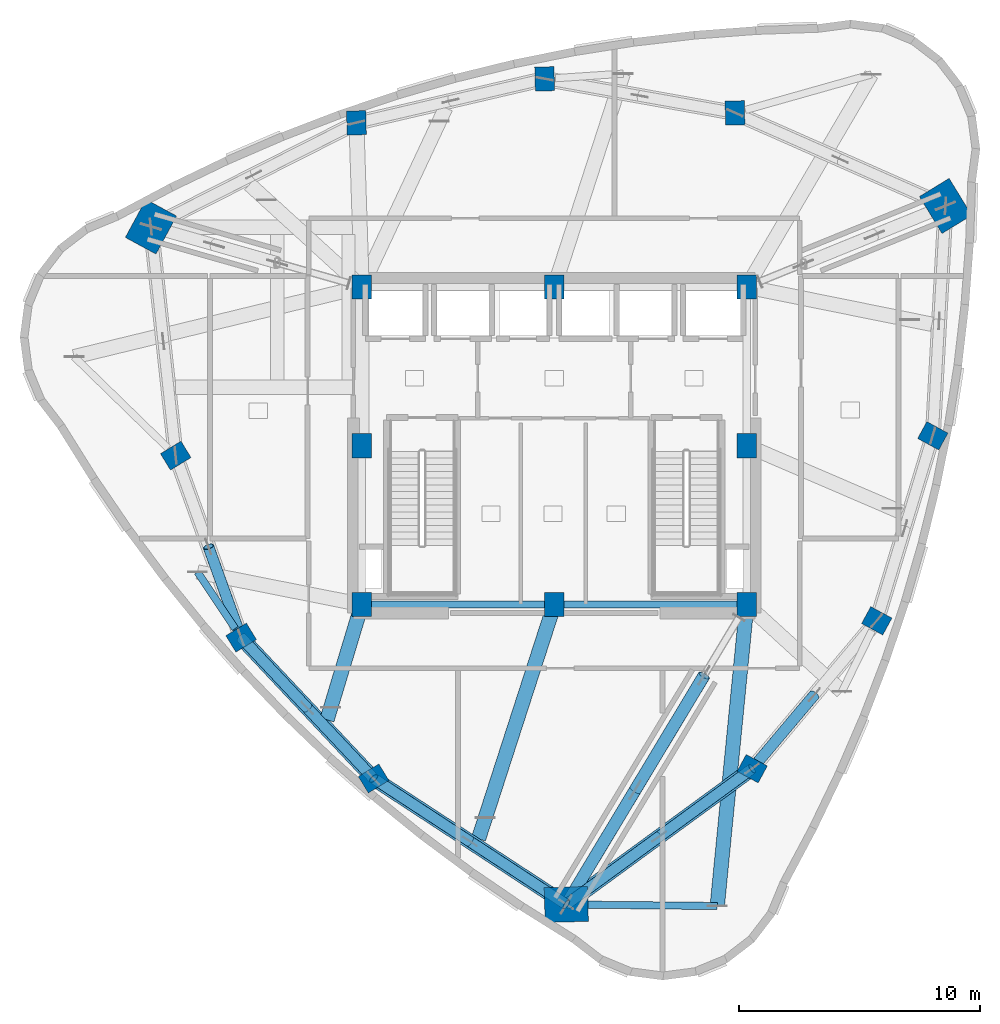
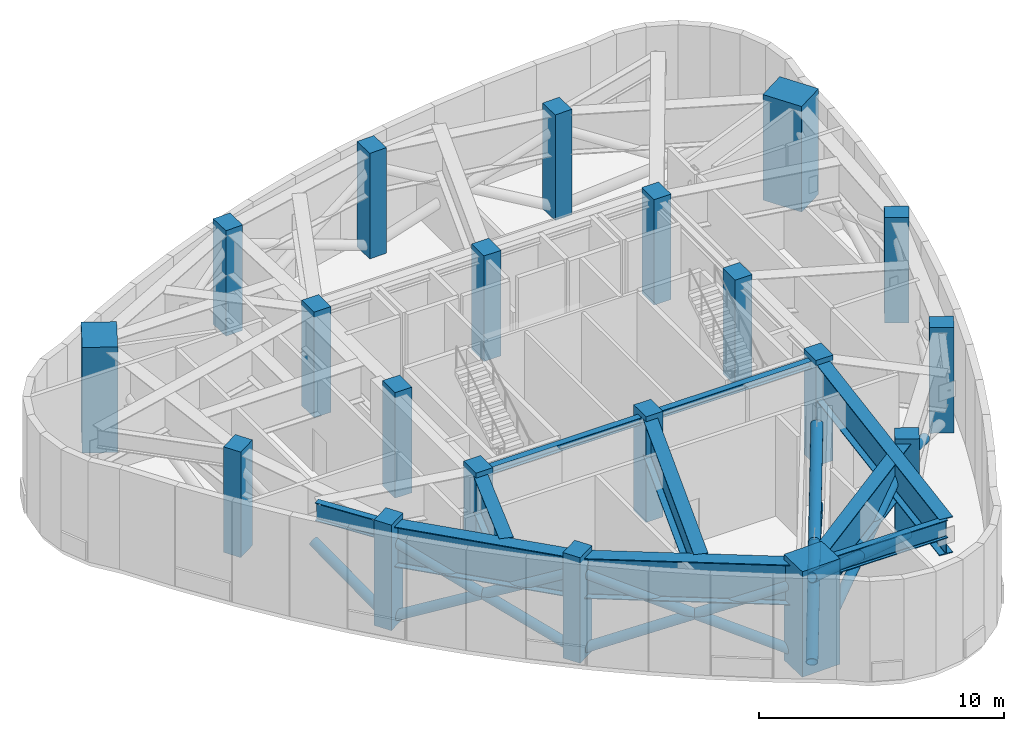
# One storey, part 1 of 10: 20 columns, 14 members, 10 beams.
"""IFC4 building model written with IfcOpenShell, lengths in metres."""

from ifc_helpers import new_model, si_unit, direction, frame, origin, origin_2d, place, context, subcontext, project, spatial, rectangle, hollow_circle, i_section, extrude, material, material_profile, profile_set, type_object, element, save


model = new_model("IFC4")

# Units and contexts
model_context = context("Model", 3, precision=1e-05, world=origin(), true_north=direction((0.0, 1.0)))
body_context = subcontext(model_context, "Body", "Model", "MODEL_VIEW")
ifc_project = project(units=[si_unit("LENGTHUNIT", "METRE"), si_unit("AREAUNIT", "SQUARE_METRE"), si_unit("VOLUMEUNIT", "CUBIC_METRE"), si_unit("PLANEANGLEUNIT", "RADIAN"), si_unit("MASSUNIT", "GRAM", prefix="KILO")], contexts=[model_context])

# Site, building, storey
site_placement = place(None, origin())
site = spatial("IfcSite", under=ifc_project, at=site_placement, CompositionType="ELEMENT")
building_placement = place(site_placement, origin())
building = spatial("IfcBuilding", under=site, at=building_placement, Name="Ndelora Gate Hotel", CompositionType="ELEMENT")
storey_placement = place(building_placement, frame((0.0, 0.0, 254.949951171875)))
storey = spatial("IfcBuildingStorey", under=building, at=storey_placement, Name="L64", CompositionType="ELEMENT", Elevation=254.949951171875)

# Columns
ifc_material_1 = material(Name="Concrete C50/60", Category="concrete")
ifc_material_profile_1 = material_profile(ifc_material_1, rectangle(XDim=0.800048828125, YDim=1.0, at=origin_2d()), Name="RC 1000x800")
ifc_profile_set_1 = profile_set([ifc_material_profile_1], Name="Concrete C50/60")
column_type_1 = type_object("IfcColumnType", Name="COL-CC-HI", PredefinedType="COLUMN", material=ifc_profile_set_1)
for number, where, z_axis, x_axis, name in (
    (1, (-8.0, -6.60009765625, 0.0), (0.0, 0.0, 1.0), (1.0, 0.0, 0.0), "L64 Core Column CC1"),
    (2, (0.0, -6.60009765625, 0.0), (0.0, 0.0, 1.0), (1.0, 0.0, 0.0), "L64 Core Column CC2"),
    (3, (8.0, -6.60009765625, 0.0), (0.0, 0.0, 1.0), (1.0, 0.0, 0.0), "L64 Core Column CC3"),
    (4, (8.0, 0.0, 0.0), (0.0, 0.0, 1.0), (1.0, 0.0, 0.0), "L64 Core Column CC4"),
    (5, (8.0, 6.60009765625, 0.0), (0.0, 0.0, 1.0), (1.0, 0.0, 0.0), "L64 Core Column CC5"),
    (6, (0.0, 6.60009765625, 0.0), (0.0, 0.0, 1.0), (1.0, 0.0, 0.0), "L64 Core Column CC6"),
    (7, (-8.0, 6.60009765625, 0.0), (0.0, 0.0, 1.0), (1.0, 0.0, 0.0), "L64 Core Column CC7"),
    (8, (-8.0, 0.0, 0.0), (0.0, 0.0, 1.0), (1.0, 0.0, 0.0), "L64 Core Column CC8"),
):
    element("IfcColumn", number, at=place(storey_placement, frame(where, z_axis=z_axis, x_axis=x_axis)), inside=storey, type_object=column_type_1, Name=name, PredefinedType="COLUMN", context=body_context, shape_type="SweptSolid", body=[
        extrude(rectangle(XDim=0.800048828125, YDim=1.0, at=origin_2d()), origin(), (0.0, 0.0, 1.0), 5.25),
    ])
ifc_material_profile_2 = material_profile(ifc_material_1, rectangle(XDim=1.449951171875, YDim=1.800048828125, at=origin_2d()), Name="RC 1800x1450")
ifc_profile_set_2 = profile_set([ifc_material_profile_2], Name="Concrete C50/60")
column_type_2 = type_object("IfcColumnType", Name="COL-MC-Z3", PredefinedType="COLUMN", material=ifc_profile_set_2)
for number, where, z_axis, x_axis, name in (
    (9, (-16.759521484375, 9.099609375, 0.0), (0.0, 0.0, 1.0), (-0.878817112662, 0.47715876026, 0.0), "L64 Corner Mega-Column R1"),
    (10, (0.499267578125, -19.064208984375, 0.0), (0.0, 0.0, 1.0), (-0.026176948308, 0.999657324976, 0.0), "L64 Corner Mega-Column R5"),
    (11, (16.26025390625, 9.96435546875, 0.0), (0.0, 0.0, 1.0), (0.852640164354, 0.522498564716, 0.0), "L64 Corner Mega-Column R9"),
):
    element("IfcColumn", number, at=place(storey_placement, frame(where, z_axis=z_axis, x_axis=x_axis)), inside=storey, type_object=column_type_2, Name=name, PredefinedType="COLUMN", context=body_context, shape_type="SweptSolid", body=[
        extrude(rectangle(XDim=1.449951171875, YDim=1.800048828125, at=origin_2d()), origin(), (0.0, 0.0, 1.0), 5.25),
    ])
ifc_material_profile_3 = material_profile(ifc_material_1, rectangle(XDim=0.800048828125, YDim=1.0, at=origin_2d()), Name="RC 1000x800")
ifc_profile_set_3 = profile_set([ifc_material_profile_3], Name="Concrete C50/60")
column_type_3 = type_object("IfcColumnType", Name="COL-PT-Z3", PredefinedType="COLUMN", material=ifc_profile_set_3)
for number, where, z_axis, x_axis, name in (
    (12, (-15.72998046875, -0.411865234375, 0.0), (0.0, 0.0, 1.0), (-0.522498564716, 0.852640164354, 0.0), "L64 Perimeter Tube Column R2"),
    (13, (-13.011962890625, -7.973876953125, 0.0), (0.0, 0.0, 1.0), (-0.522498564716, 0.852640164354, 0.0), "L64 Perimeter Tube Column R3"),
    (14, (-7.50830078125, -13.828369140625, 0.0), (0.0, 0.0, 1.0), (-0.522498564716, 0.852640164354, 0.0), "L64 Perimeter Tube Column R4"),
    (15, (8.223876953125, -13.419921875, 0.0), (0.0, 0.0, 1.0), (0.47715876026, 0.878817112662, 0.0), "L64 Perimeter Tube Column R6"),
    (16, (13.400390625, -7.275634765625, 0.0), (0.0, 0.0, 1.0), (0.47715876026, 0.878817112662, 0.0), "L64 Perimeter Tube Column R7"),
    (17, (15.72998046875, 0.411865234375, 0.0), (0.0, 0.0, 1.0), (0.47715876026, 0.878817112662, 0.0), "L64 Perimeter Tube Column R8"),
    (18, (7.50830078125, 13.828369140625, 0.0), (0.0, 0.0, 1.0), (0.999657324976, 0.026176948308, 0.0), "L64 Perimeter Tube Column R10"),
    (19, (-0.399169921875, 15.242919921875, 0.0), (0.0, 0.0, 1.0), (0.999657324976, 0.026176948308, 0.0), "L64 Perimeter Tube Column R11"),
    (20, (-8.2216796875, 13.41650390625, 0.0), (0.0, 0.0, 1.0), (0.999657324976, 0.026176948308, 0.0), "L64 Perimeter Tube Column R12"),
):
    element("IfcColumn", number, at=place(storey_placement, frame(where, z_axis=z_axis, x_axis=x_axis)), inside=storey, type_object=column_type_3, Name=name, PredefinedType="COLUMN", context=body_context, shape_type="SweptSolid", body=[
        extrude(rectangle(XDim=0.800048828125, YDim=1.0, at=origin_2d()), origin(), (0.0, 0.0, 1.0), 5.25),
    ])

# Beams
ifc_material_2 = material(Name="Steel S460", Category="steel")
ifc_material_profile_4 = material_profile(ifc_material_2, i_section(OverallWidth=0.300048828125, OverallDepth=0.89990234375, WebThickness=0.0185546875, FlangeThickness=0.034912109375, FilletRadius=0.030029296875, at=origin_2d()), Name="HEB 900")
ifc_profile_set_4 = profile_set([ifc_material_profile_4], Name="Steel S460")
beam_type_1 = type_object("IfcBeamType", Name="BM-BELT-900", PredefinedType="SPANDREL", material=ifc_profile_set_4)
beam_1_placement = place(storey_placement, frame((6.772705078125, -19.1259765625, 4.550048828125), z_axis=(-0.99995147248, 0.009851532136, 0.0), x_axis=(-0.009851532136, -0.99995147248, 0.0)))
element("IfcBeam", 21, at=beam_1_placement, inside=storey, type_object=beam_type_1, Name="L64 Setback Corner Transfer Edge Tie 2", PredefinedType="SPANDREL", context=body_context, shape_type="SweptSolid", body=[
    extrude(i_section(OverallWidth=0.300048828125, OverallDepth=0.89990234375, WebThickness=0.0185546875, FlangeThickness=0.034912109375, FilletRadius=0.030029296875, at=origin_2d()), origin(), (0.0, 0.0, 1.0), 5.82373046875),
])
beam_2_placement = place(storey_placement, frame((-14.822509765625, -5.248779296875, 4.550048828125), z_axis=(0.553381734838, -0.832927761302, 0.0), x_axis=(0.832927761302, 0.553381734838, 0.0)))
element("IfcBeam", 22, at=beam_2_placement, inside=storey, type_object=beam_type_1, Name="L64 Setback Corner Transfer Edge Tie 4", PredefinedType="SPANDREL", context=body_context, shape_type="SweptSolid", body=[
    extrude(i_section(OverallWidth=0.300048828125, OverallDepth=0.89990234375, WebThickness=0.0185546875, FlangeThickness=0.034912109375, FilletRadius=0.030029296875, at=origin_2d()), origin(), (0.0, 0.0, 1.0), 2.82177734375),
])
ifc_material_3 = material(Name="Steel S355", Category="steel")
ifc_material_profile_5 = material_profile(ifc_material_3, i_section(OverallWidth=0.300048828125, OverallDepth=0.35009765625, WebThickness=0.010009765625, FlangeThickness=0.017578125, FilletRadius=0.027099609375, at=origin_2d()), Name="HEA 360")
ifc_profile_set_5 = profile_set([ifc_material_profile_5], Name="Steel S355")
beam_type_2 = type_object("IfcBeamType", Name="BM-CORE-350", PredefinedType="BEAM", material=ifc_profile_set_5)
for number, where, z_axis, x_axis, name in (
    (23, (-8.0, -6.60009765625, 4.824951171875), (1.0, 0.0, 0.0), (0.0, 1.0, 0.0), "L64 Core Tie Girder CC1-CC2"),
    (24, (0.0, -6.60009765625, 4.824951171875), (1.0, 0.0, 0.0), (0.0, 1.0, 0.0), "L64 Core Tie Girder CC2-CC3"),
):
    element("IfcBeam", number, at=place(storey_placement, frame(where, z_axis=z_axis, x_axis=x_axis)), inside=storey, type_object=beam_type_2, Name=name, PredefinedType="BEAM", context=body_context, shape_type="SweptSolid", body=[
        extrude(i_section(OverallWidth=0.300048828125, OverallDepth=0.35009765625, WebThickness=0.010009765625, FlangeThickness=0.017578125, FilletRadius=0.027099609375, at=origin_2d()), origin(), (0.0, 0.0, 1.0), 8.0),
    ])
ifc_material_profile_6 = material_profile(ifc_material_2, i_section(OverallWidth=0.60009765625, OverallDepth=1.800048828125, WebThickness=0.028076171875, FlangeThickness=0.0400390625, FilletRadius=0.02392578125, at=origin_2d()), Name="PG 1800x600x40")
ifc_profile_set_6 = profile_set([ifc_material_profile_6], Name="Steel S460")
beam_type_3 = type_object("IfcBeamType", Name="BM-TR-1800", PredefinedType="BEAM", material=ifc_profile_set_6)
beam_3_placement = place(storey_placement, frame((8.0, -6.60009765625, 4.10009765625), z_axis=(-0.097513783863, -0.995234174432, 0.0), x_axis=(0.995234174432, -0.097513783863, 0.0)))
element("IfcBeam", 25, at=beam_3_placement, inside=storey, type_object=beam_type_3, Name="L64 Setback Two-Support Radial Transfer Girder 2", PredefinedType="BEAM", context=body_context, shape_type="SweptSolid", body=[
    extrude(i_section(OverallWidth=0.60009765625, OverallDepth=1.800048828125, WebThickness=0.028076171875, FlangeThickness=0.0400390625, FilletRadius=0.02392578125, at=origin_2d()), origin(), (0.0, 0.0, 1.0), 12.5859375),
])
beam_4_placement = place(storey_placement, frame((-8.0, -6.60009765625, 4.10009765625), z_axis=(-0.288659429653, -0.957431842834, 0.0), x_axis=(0.957431842834, -0.288659429653, 0.0)))
element("IfcBeam", 26, at=beam_4_placement, inside=storey, type_object=beam_type_3, Name="L64 Setback Two-Support Radial Transfer Girder 5", PredefinedType="BEAM", context=body_context, shape_type="SweptSolid", body=[
    extrude(i_section(OverallWidth=0.60009765625, OverallDepth=1.800048828125, WebThickness=0.028076171875, FlangeThickness=0.0400390625, FilletRadius=0.02392578125, at=origin_2d()), origin(), (0.0, 0.0, 1.0), 5.002685546875),
])
beam_5_placement = place(storey_placement, frame((0.0, -6.60009765625, 4.10009765625), z_axis=(-0.307695106813, -0.951485008418, 0.0), x_axis=(0.951485008418, -0.307695106813, 0.0)))
element("IfcBeam", 27, at=beam_5_placement, inside=storey, type_object=beam_type_3, Name="L64 Setback Two-Support Radial Transfer Girder 6", PredefinedType="BEAM", context=body_context, shape_type="SweptSolid", body=[
    extrude(i_section(OverallWidth=0.60009765625, OverallDepth=1.800048828125, WebThickness=0.028076171875, FlangeThickness=0.0400390625, FilletRadius=0.02392578125, at=origin_2d()), origin(), (0.0, 0.0, 1.0), 10.22998046875),
])
ifc_material_profile_7 = material_profile(ifc_material_2, i_section(OverallWidth=0.6201171875, OverallDepth=2.0, WebThickness=0.028076171875, FlangeThickness=0.0400390625, FilletRadius=0.02392578125, at=origin_2d()), Name="PG 2000x620x40")
ifc_profile_set_7 = profile_set([ifc_material_profile_7], Name="Steel S460")
beam_type_4 = type_object("IfcBeamType", Name="BM-TR-2000", PredefinedType="BEAM", material=ifc_profile_set_7)
beam_6_placement = place(storey_placement, frame((-13.011962890625, -7.973876953125, 4.0), z_axis=(0.684939043371, -0.728600375285, 0.0), x_axis=(0.728600375285, 0.684939043371, 0.0)))
element("IfcBeam", 28, at=beam_6_placement, inside=storey, type_object=beam_type_4, Name="L64 Belt Truss Top Chord Girder 3", PredefinedType="BEAM", context=body_context, shape_type="SweptSolid", body=[
    extrude(i_section(OverallWidth=0.6201171875, OverallDepth=2.0, WebThickness=0.028076171875, FlangeThickness=0.0400390625, FilletRadius=0.02392578125, at=origin_2d()), origin(), (0.0, 0.0, 1.0), 8.03515625),
])
beam_7_placement = place(storey_placement, frame((-7.50830078125, -13.828369140625, 4.0), z_axis=(0.836963769915, -0.547258300851, 0.0), x_axis=(0.547258300851, 0.836963769915, 0.0)))
element("IfcBeam", 29, at=beam_7_placement, inside=storey, type_object=beam_type_4, Name="L64 Belt Truss Top Chord Girder 4", PredefinedType="BEAM", context=body_context, shape_type="SweptSolid", body=[
    extrude(i_section(OverallWidth=0.6201171875, OverallDepth=2.0, WebThickness=0.028076171875, FlangeThickness=0.0400390625, FilletRadius=0.02392578125, at=origin_2d()), origin(), (0.0, 0.0, 1.0), 9.5673828125),
])
beam_8_placement = place(storey_placement, frame((0.499267578125, -19.064208984375, 4.0), z_axis=(0.807421980226, 0.58997436033, 0.0), x_axis=(-0.58997436033, 0.807421980226, 0.0)))
element("IfcBeam", 30, at=beam_8_placement, inside=storey, type_object=beam_type_4, Name="L64 Belt Truss Top Chord Girder 5", PredefinedType="BEAM", context=body_context, shape_type="SweptSolid", body=[
    extrude(i_section(OverallWidth=0.6201171875, OverallDepth=2.0, WebThickness=0.028076171875, FlangeThickness=0.0400390625, FilletRadius=0.02392578125, at=origin_2d()), origin(), (0.0, 0.0, 1.0), 9.56689453125),
])

# Members
ifc_material_profile_8 = material_profile(ifc_material_2, hollow_circle(Radius=0.228515625, WallThickness=0.02490234375, at=origin_2d()), Name="CHS 457x25")
ifc_profile_set_8 = profile_set([ifc_material_profile_8], Name="Steel S460")
member_type_1 = type_object("IfcMemberType", Name="MB-BELT-457", PredefinedType="BRACE", material=ifc_profile_set_8)
member_1_placement = place(storey_placement, frame((-13.011962890625, -7.973876953125, 0.239990234375), z_axis=(-0.303429097532, 0.844118274382, 0.442035204057), x_axis=(-0.941048424076, -0.338271878145, 0.0)))
element("IfcMember", 31, at=member_1_placement, inside=storey, type_object=member_type_1, Name="L64 Storey-Deep Belt Truss Split Diagonal 2B-Lower", PredefinedType="BRACE", context=body_context, shape_type="SweptSolid", body=[
    extrude(hollow_circle(Radius=0.228515625, WallThickness=0.02490234375, at=origin_2d()), origin(), (0.0, 0.0, 1.0), 4.479248046875),
])
member_2_placement = place(storey_placement, frame((-13.011962890625, -7.973876953125, 0.239990234375), z_axis=(0.614381689806, -0.65354535428, 0.442056115364), x_axis=(0.728600375285, 0.684939043371, 0.0)))
element("IfcMember", 32, at=member_2_placement, inside=storey, type_object=member_type_1, Name="L64 Storey-Deep Belt Truss Continuous Diagonal 3A", PredefinedType="BRACE", context=body_context, shape_type="SweptSolid", body=[
    extrude(hollow_circle(Radius=0.228515625, WallThickness=0.02490234375, at=origin_2d()), origin(), (0.0, 0.0, 1.0), 8.9580078125),
])
for number, where, z_axis, x_axis, name in (
    (33, (-7.50830078125, -13.828369140625, 0.239990234375), (-0.614364722951, 0.653556297417, 0.442063517269), (-0.728615538296, -0.684922913439, 0.0), "L64 Storey-Deep Belt Truss Split Diagonal 3B-Lower"),
    (34, (-10.260009765625, -10.901123046875, 2.219970703125), (-0.614398655808, 0.653534411208, 0.442048713502), (-0.728585212548, -0.684955172297, 0.0), "L64 Storey-Deep Belt Truss Split Diagonal 3B-Upper"),
):
    element("IfcMember", number, at=place(storey_placement, frame(where, z_axis=z_axis, x_axis=x_axis)), inside=storey, type_object=member_type_1, Name=name, PredefinedType="BRACE", context=body_context, shape_type="SweptSolid", body=[
        extrude(hollow_circle(Radius=0.228515625, WallThickness=0.02490234375, at=origin_2d()), origin(), (0.0, 0.0, 1.0), 4.47900390625),
    ])
member_3_placement = place(storey_placement, frame((-7.50830078125, -13.828369140625, 0.239990234375), z_axis=(0.773339016664, -0.505656530729, 0.382437234376), x_axis=(0.547258300851, 0.836963769915, 0.0)))
element("IfcMember", 35, at=member_3_placement, inside=storey, type_object=member_type_1, Name="L64 Storey-Deep Belt Truss Continuous Diagonal 4A", PredefinedType="BRACE", context=body_context, shape_type="SweptSolid", body=[
    extrude(hollow_circle(Radius=0.228515625, WallThickness=0.02490234375, at=origin_2d()), origin(), (0.0, 0.0, 1.0), 10.3544921875),
])
for number, where, z_axis, x_axis, name in (
    (36, (0.499267578125, -19.064208984375, 0.239990234375), (-0.773329539252, 0.505665750924, 0.382444207777), (-0.547269989178, -0.836956127252, 0.0), "L64 Storey-Deep Belt Truss Split Diagonal 4B-Lower"),
    (37, (-3.50439453125, -16.4462890625, 2.219970703125), (-0.773348493557, 0.505647310757, 0.382430261143), (-0.547246612916, -0.836971412088, 0.0), "L64 Storey-Deep Belt Truss Split Diagonal 4B-Upper"),
):
    element("IfcMember", number, at=place(storey_placement, frame(where, z_axis=z_axis, x_axis=x_axis)), inside=storey, type_object=member_type_1, Name=name, PredefinedType="BRACE", context=body_context, shape_type="SweptSolid", body=[
        extrude(hollow_circle(Radius=0.228515625, WallThickness=0.02490234375, at=origin_2d()), origin(), (0.0, 0.0, 1.0), 5.17724609375),
    ])
member_4_placement = place(storey_placement, frame((0.499267578125, -19.064208984375, 0.239990234375), z_axis=(0.746038418434, 0.54512206687, 0.382450794785), x_axis=(-0.58997436033, 0.807421980226, 0.0)))
element("IfcMember", 38, at=member_4_placement, inside=storey, type_object=member_type_1, Name="L64 Storey-Deep Belt Truss Continuous Diagonal 5A", PredefinedType="BRACE", context=body_context, shape_type="SweptSolid", body=[
    extrude(hollow_circle(Radius=0.228515625, WallThickness=0.02490234375, at=origin_2d()), origin(), (0.0, 0.0, 1.0), 10.354248046875),
])
member_5_placement = place(storey_placement, frame((8.223876953125, -13.419921875, 0.239990234375), z_axis=(-0.746048007552, -0.545105494266, 0.382455710572), x_axis=(0.58995772333, -0.807434136437, 0.0)))
element("IfcMember", 39, at=member_5_placement, inside=storey, type_object=member_type_1, Name="L64 Storey-Deep Belt Truss Split Diagonal 5B-Lower", PredefinedType="BRACE", context=body_context, shape_type="SweptSolid", body=[
    extrude(hollow_circle(Radius=0.228515625, WallThickness=0.02490234375, at=origin_2d()), origin(), (0.0, 0.0, 1.0), 5.177001953125),
])
member_6_placement = place(storey_placement, frame((4.361572265625, -16.241943359375, 2.219970703125), z_axis=(-0.746028829271, -0.545138638835, 0.382445878975), x_axis=(0.58999099658, -0.807409824039, 0.0)))
element("IfcMember", 40, at=member_6_placement, inside=storey, type_object=member_type_1, Name="L64 Storey-Deep Belt Truss Split Diagonal 5B-Upper", PredefinedType="BRACE", context=body_context, shape_type="SweptSolid", body=[
    extrude(hollow_circle(Radius=0.228515625, WallThickness=0.02490234375, at=origin_2d()), origin(), (0.0, 0.0, 1.0), 5.17724609375),
])
member_7_placement = place(storey_placement, frame((10.81201171875, -10.347900390625, 2.219970703125), z_axis=(-0.577914854437, -0.685963834863, 0.442117674699), x_axis=(0.764767755237, -0.644306045718, 0.0)))
element("IfcMember", 41, at=member_7_placement, inside=storey, type_object=member_type_1, Name="L64 Storey-Deep Belt Truss Split Diagonal 6B-Upper", PredefinedType="BRACE", context=body_context, shape_type="SweptSolid", body=[
    extrude(hollow_circle(Radius=0.228515625, WallThickness=0.02490234375, at=origin_2d()), origin(), (0.0, 0.0, 1.0), 4.478515625),
])
ifc_material_profile_9 = material_profile(ifc_material_2, hollow_circle(Radius=0.25390625, WallThickness=0.028076171875, at=origin_2d()), Name="CHS 508x28")
ifc_profile_set_9 = profile_set([ifc_material_profile_9], Name="Steel S460")
member_type_2 = type_object("IfcMemberType", Name="MB-OUT-508", PredefinedType="BRACE", material=ifc_profile_set_9)
member_8_placement = place(storey_placement, frame((6.224609375, -9.550048828125, 0.0), z_axis=(-0.483690434148, -0.803778782089, 0.346385960133), x_axis=(0.856822898188, -0.515610823336, 0.0)))
element("IfcMember", 42, at=member_8_placement, inside=storey, type_object=member_type_2, Name="L64 Core-to-Mega-Column Outrigger Continuous Arm 2A", PredefinedType="BRACE", context=body_context, shape_type="SweptSolid", body=[
    extrude(hollow_circle(Radius=0.25390625, WallThickness=0.028076171875, at=origin_2d()), origin(), (0.0, 0.0, 1.0), 11.836669921875),
])
for number, where, z_axis, x_axis, name in (
    (43, (6.224609375, -9.550048828125, 4.10009765625), (-0.48367463382, -0.803786800852, -0.346389415794), (0.856832611601, -0.515594681602, 0.0), "L64 Core-to-Mega-Column Outrigger Split Arm 2B-Upper"),
    (44, (3.362060546875, -14.30712890625, 2.050048828125), (-0.483706234003, -0.803770763223, -0.346382504428), (0.85681318469, -0.51562696452, 0.0), "L64 Core-to-Mega-Column Outrigger Split Arm 2B-Lower"),
):
    element("IfcMember", number, at=place(storey_placement, frame(where, z_axis=z_axis, x_axis=x_axis)), inside=storey, type_object=member_type_2, Name=name, PredefinedType="BRACE", context=body_context, shape_type="SweptSolid", body=[
        extrude(hollow_circle(Radius=0.25390625, WallThickness=0.028076171875, at=origin_2d()), origin(), (0.0, 0.0, 1.0), 5.91845703125),
    ])

save(model, "model.ifc")
